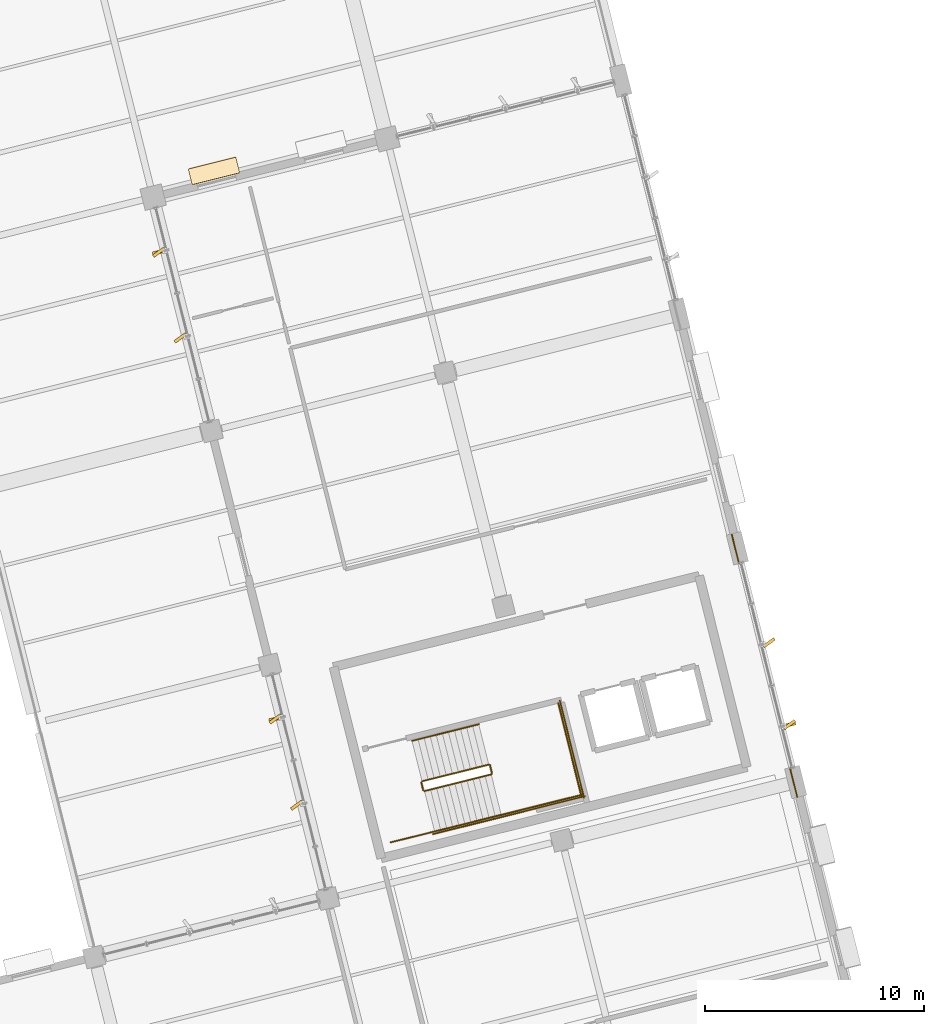
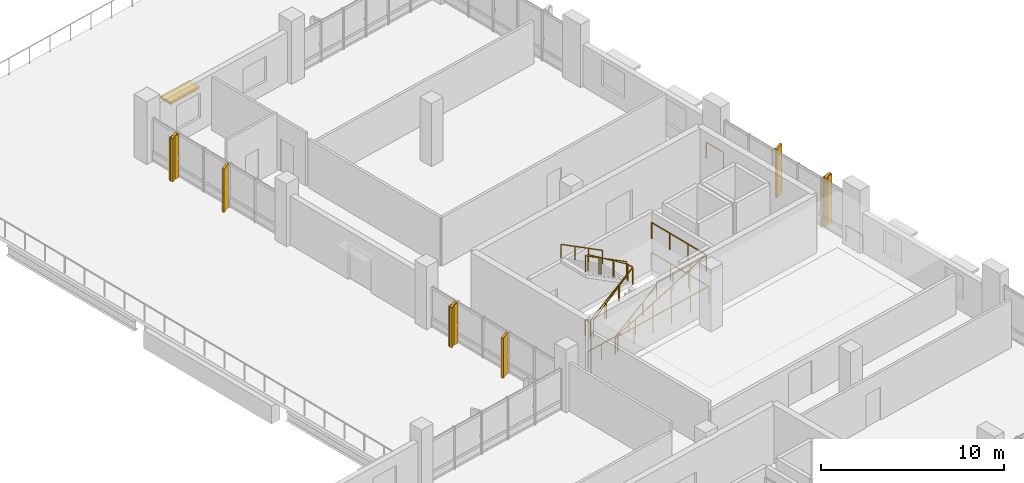
# One storey, part 41 of 42: 15 railings, 7 shading devices, 4 coverings.
"""IFC4 building model written with IfcOpenShell, lengths in metres."""

from ifc_helpers import new_model, si_unit, direction, frame, origin, origin_2d, place, context, subcontext, project, spatial, rectangle, extrude, material, layer, layer_set, type_object, element, save


model = new_model("IFC4")

# Units and contexts
model_context = context("Model", 3, precision=1e-05, world=origin(), true_north=direction((0.0, 1.0)))
body_context = subcontext(model_context, "Body", "Model", "MODEL_VIEW")
ifc_project = project(units=[si_unit("LENGTHUNIT", "METRE"), si_unit("AREAUNIT", "SQUARE_METRE"), si_unit("VOLUMEUNIT", "CUBIC_METRE"), si_unit("PLANEANGLEUNIT", "RADIAN"), si_unit("MASSUNIT", "GRAM", prefix="KILO")], contexts=[model_context])

# Site, building, storey
site_placement = place(None, origin())
site = spatial("IfcSite", under=ifc_project, at=site_placement, CompositionType="ELEMENT")
building_placement = place(site_placement, origin())
building = spatial("IfcBuilding", under=site, at=building_placement, Name="Khorjan Park Terminus", CompositionType="ELEMENT")
storey_placement = place(building_placement, frame((0.0, 0.0, 20.4)))
storey = spatial("IfcBuildingStorey", under=building, at=storey_placement, Name="L04", CompositionType="ELEMENT", Elevation=20.4)

# Coverings
ifc_material_1 = material(Name="Pigmented Precast GRC", Category="concrete")
ifc_layer_1 = layer(ifc_material_1, 0.16)
ifc_layer_set_1 = layer_set([ifc_layer_1], Name="Pigmented Precast GRC")
covering_type_1 = type_object("IfcCoveringType", Name="CV-FIN-GRC", PredefinedType="CLADDING", material=ifc_layer_set_1)
covering_1_placement = place(storey_placement, frame((224.4308, 41.9297, -0.02), z_axis=(0.0, 0.0, 1.0), x_axis=(-0.970295726276, -0.2419218956, 0.0)))
element("IfcCovering", 1, at=covering_1_placement, inside=storey, type_object=covering_type_1, Name="Projecting desert-sandstone GRC facade fin CL-FN1 (CW-V5-E-L04-B03-1)", PredefinedType="CLADDING", context=body_context, shape_type="SweptSolid", body=[
    extrude(rectangle(XDim=0.58, YDim=0.16, at=origin_2d()), origin(), (0.0, 0.0, 1.0), 3.245),
])
covering_2_placement = place(storey_placement, frame((195.6471, 63.5014, -0.02), z_axis=(0.0, 0.0, 1.0), x_axis=(0.970295726276, 0.2419218956, 0.0)))
element("IfcCovering", 2, at=covering_2_placement, inside=storey, type_object=covering_type_1, Name="Projecting desert-sandstone GRC facade fin CL-FN1 (CW-V5-NW1-L04-B01-1)", PredefinedType="CLADDING", context=body_context, shape_type="SweptSolid", body=[
    extrude(rectangle(XDim=0.58, YDim=0.16, at=origin_2d()), origin(), (0.0, 0.0, 1.0), 2.905),
])
covering_3_placement = place(storey_placement, frame((200.9598, 42.1931, -0.02), z_axis=(0.0, 0.0, 1.0), x_axis=(0.970295726276, 0.2419218956, 0.0)))
element("IfcCovering", 3, at=covering_3_placement, inside=storey, type_object=covering_type_1, Name="Projecting desert-sandstone GRC facade fin CL-FN1 (CW-V5-NW1-L04-B03-1)", PredefinedType="CLADDING", context=body_context, shape_type="SweptSolid", body=[
    extrude(rectangle(XDim=0.58, YDim=0.16, at=origin_2d()), origin(), (0.0, 0.0, 1.0), 2.69),
])
ifc_layer_2 = layer(ifc_material_1, 0.18)
ifc_layer_set_2 = layer_set([ifc_layer_2], Name="Pigmented Precast GRC")
covering_type_2 = type_object("IfcCoveringType", Name="CV-HOOD-GRC", PredefinedType="CLADDING", material=ifc_layer_set_2)
covering_4_placement = place(storey_placement, frame((198.1626, 67.2077, 2.58), z_axis=(0.0, 0.0, 1.0), x_axis=(-0.970293595336, -0.241930442171, 0.0)))
element("IfcCovering", 4, at=covering_4_placement, inside=storey, type_object=covering_type_2, Name="Projecting desert-sandstone GRC window eyebrow CL-HD1 (EW-V5-N-L04-B02-2)", PredefinedType="CLADDING", context=body_context, shape_type="SweptSolid", body=[
    extrude(rectangle(XDim=2.24, YDim=0.74, at=origin_2d()), origin(), (0.0, 0.0, 1.0), 0.16),
])

# Railings
ifc_material_2 = material(Name="Steel S355", Category="steel")
railing_type_1 = type_object("IfcRailingType", Name="GR-112", PredefinedType="GUARDRAIL", material=ifc_material_2)
railing_1_placement = place(storey_placement, frame((207.7735, 38.902, 0.175)))
element("IfcRailing", 5, at=railing_1_placement, inside=storey, type_object=railing_type_1, Name="L04 ST-04 stair guard 1", PredefinedType="GUARDRAIL", context=body_context, shape_type="SweptSolid", body=[
    extrude(rectangle(XDim=0.048, YDim=0.048, at=origin_2d()), frame((0.0, 0.0, 1.096), z_axis=(0.826848000136, 0.206181934415, 0.523269906063), x_axis=(-0.241950149517, 0.970288681346, 0.0)), (0.0, 0.0, 1.0), 3.6788),
    extrude(rectangle(XDim=0.042, YDim=0.042, at=origin_2d()), origin(), (0.0, 0.0, 1.0), 1.072),
    extrude(rectangle(XDim=0.042, YDim=0.042, at=origin_2d()), frame((1.0139, 0.2528, 0.6417)), (0.0, 0.0, 1.0), 1.072),
    extrude(rectangle(XDim=0.042, YDim=0.042, at=origin_2d()), frame((2.0279, 0.5057, 1.2833)), (0.0, 0.0, 1.0), 1.072),
    extrude(rectangle(XDim=0.042, YDim=0.042, at=origin_2d()), frame((3.0418, 0.7585, 1.925)), (0.0, 0.0, 1.0), 1.072),
])
railing_2_placement = place(storey_placement, frame((210.8518, 39.7211, 2.1)))
element("IfcRailing", 6, at=railing_2_placement, inside=storey, type_object=railing_type_1, Name="L04 ST-04 stair guard 2", PredefinedType="GUARDRAIL", context=body_context, shape_type="SweptSolid", body=[
    extrude(rectangle(XDim=0.048, YDim=0.048, at=origin_2d()), frame((0.0, 0.0, 1.096), z_axis=(-0.241947338122, 0.970289382388, 0.0), x_axis=(-0.970289382388, -0.241947338122, 0.0)), (0.0, 0.0, 1.0), 0.36),
    extrude(rectangle(XDim=0.042, YDim=0.042, at=origin_2d()), origin(), (0.0, 0.0, 1.0), 1.072),
    extrude(rectangle(XDim=0.042, YDim=0.042, at=origin_2d()), frame((-0.0871, 0.3493, 0.0)), (0.0, 0.0, 1.0), 1.072),
])
railing_3_placement = place(storey_placement, frame((211.275, 37.8169, 2.1)))
element("IfcRailing", 7, at=railing_3_placement, inside=storey, type_object=railing_type_1, Name="L04 ST-04 stair guard 3", PredefinedType="GUARDRAIL", context=body_context, shape_type="SweptSolid", body=[
    extrude(rectangle(XDim=0.048, YDim=0.048, at=origin_2d()), frame((0.0, 0.0, 1.096), z_axis=(0.970296897562, 0.241917197781, 0.0), x_axis=(-0.241917197781, 0.970296897562, 0.0)), (0.0, 0.0, 1.0), 3.805),
    extrude(rectangle(XDim=0.042, YDim=0.042, at=origin_2d()), origin(), (0.0, 0.0, 1.0), 1.072),
    extrude(rectangle(XDim=0.042, YDim=0.042, at=origin_2d()), frame((1.2307, 0.3068, 0.0)), (0.0, 0.0, 1.0), 1.072),
    extrude(rectangle(XDim=0.042, YDim=0.042, at=origin_2d()), frame((2.4613, 0.6137, 0.0)), (0.0, 0.0, 1.0), 1.072),
    extrude(rectangle(XDim=0.042, YDim=0.042, at=origin_2d()), frame((3.692, 0.9205, 0.0)), (0.0, 0.0, 1.0), 1.072),
])
railing_4_placement = place(storey_placement, frame((214.9305, 38.6768, 2.1)))
element("IfcRailing", 8, at=railing_4_placement, inside=storey, type_object=railing_type_1, Name="L04 ST-04 stair guard 4", PredefinedType="GUARDRAIL", context=body_context, shape_type="SweptSolid", body=[
    extrude(rectangle(XDim=0.048, YDim=0.048, at=origin_2d()), frame((0.0, 0.0, 1.096), z_axis=(-0.241904163851, 0.970300147125, 0.0), x_axis=(-0.970300147125, -0.241904163851, 0.0)), (0.0, 0.0, 1.0), 4.36),
    extrude(rectangle(XDim=0.042, YDim=0.042, at=origin_2d()), origin(), (0.0, 0.0, 1.0), 1.072),
    extrude(rectangle(XDim=0.042, YDim=0.042, at=origin_2d()), frame((-0.3516, 1.4102, 0.0)), (0.0, 0.0, 1.0), 1.072),
    extrude(rectangle(XDim=0.042, YDim=0.042, at=origin_2d()), frame((-0.7031, 2.8203, 0.0)), (0.0, 0.0, 1.0), 1.072),
    extrude(rectangle(XDim=0.042, YDim=0.042, at=origin_2d()), frame((-1.0547, 4.2305, 0.0)), (0.0, 0.0, 1.0), 1.072),
])
railing_5_placement = place(storey_placement, frame((210.7041, 40.1068, 2.275)))
element("IfcRailing", 9, at=railing_5_placement, inside=storey, type_object=railing_type_1, Name="L04 ST-04 stair guard 5", PredefinedType="GUARDRAIL", context=body_context, shape_type="SweptSolid", body=[
    extrude(rectangle(XDim=0.048, YDim=0.048, at=origin_2d()), frame((0.0, 0.0, 1.096), z_axis=(-0.826861232128, -0.206151273364, 0.523261077565), x_axis=(0.241912630498, -0.970298036278, 0.0)), (0.0, 0.0, 1.0), 3.6789),
    extrude(rectangle(XDim=0.042, YDim=0.042, at=origin_2d()), origin(), (0.0, 0.0, 1.0), 1.072),
    extrude(rectangle(XDim=0.042, YDim=0.042, at=origin_2d()), frame((-1.014, -0.2528, 0.6417)), (0.0, 0.0, 1.0), 1.072),
    extrude(rectangle(XDim=0.042, YDim=0.042, at=origin_2d()), frame((-2.0279, -0.5056, 1.2833)), (0.0, 0.0, 1.0), 1.072),
    extrude(rectangle(XDim=0.042, YDim=0.042, at=origin_2d()), frame((-3.0419, -0.7584, 1.925)), (0.0, 0.0, 1.0), 1.072),
])
railing_6_placement = place(storey_placement, frame((207.7129, 38.9385, 0.0)))
element("IfcRailing", 10, at=railing_6_placement, inside=storey, type_object=railing_type_1, Name="L04 ST-04 stair guard 6", PredefinedType="GUARDRAIL", context=body_context, shape_type="SweptSolid", body=[
    extrude(rectangle(XDim=0.048, YDim=0.048, at=origin_2d()), frame((0.0, 0.0, 1.096), z_axis=(-0.241947338122, 0.970289382388, 0.0), x_axis=(-0.970289382388, -0.241947338122, 0.0)), (0.0, 0.0, 1.0), 0.36),
    extrude(rectangle(XDim=0.042, YDim=0.042, at=origin_2d()), origin(), (0.0, 0.0, 1.0), 1.072),
    extrude(rectangle(XDim=0.042, YDim=0.042, at=origin_2d()), frame((-0.0871, 0.3493, 0.0)), (0.0, 0.0, 1.0), 1.072),
])
railing_7_placement = place(storey_placement, frame((206.2343, 36.5601, 0.0)))
element("IfcRailing", 11, at=railing_7_placement, inside=storey, type_object=railing_type_1, Name="L04 ST-04 stair guard 7", PredefinedType="GUARDRAIL", context=body_context, shape_type="SweptSolid", body=[
    extrude(rectangle(XDim=0.048, YDim=0.048, at=origin_2d()), frame((0.0, 0.0, 1.096), z_axis=(0.97029080484, 0.241941633546, 0.0), x_axis=(-0.241941633546, 0.97029080484, 0.0)), (0.0, 0.0, 1.0), 2.06),
    extrude(rectangle(XDim=0.042, YDim=0.042, at=origin_2d()), origin(), (0.0, 0.0, 1.0), 1.072),
    extrude(rectangle(XDim=0.042, YDim=0.042, at=origin_2d()), frame((0.9994, 0.2492, 0.0)), (0.0, 0.0, 1.0), 1.072),
    extrude(rectangle(XDim=0.042, YDim=0.042, at=origin_2d()), frame((1.9988, 0.4984, 0.0)), (0.0, 0.0, 1.0), 1.072),
])
railing_8_placement = place(storey_placement, frame((208.1603, 36.9373, 0.0)))
element("IfcRailing", 12, at=railing_8_placement, inside=storey, type_object=railing_type_1, Name="L04 ST-04 stair guard 8", PredefinedType="GUARDRAIL", context=body_context, shape_type="SweptSolid", body=[
    extrude(rectangle(XDim=0.048, YDim=0.048, at=origin_2d()), frame((0.0, 0.0, 1.096), z_axis=(0.970296366402, 0.241919328178, 0.0), x_axis=(-0.241919328178, 0.970296366402, 0.0)), (0.0, 0.0, 1.0), 7.14),
    extrude(rectangle(XDim=0.042, YDim=0.042, at=origin_2d()), origin(), (0.0, 0.0, 1.0), 1.072),
    extrude(rectangle(XDim=0.042, YDim=0.042, at=origin_2d()), frame((1.3856, 0.3455, 0.0)), (0.0, 0.0, 1.0), 1.072),
    extrude(rectangle(XDim=0.042, YDim=0.042, at=origin_2d()), frame((2.7712, 0.6909, 0.0)), (0.0, 0.0, 1.0), 1.072),
    extrude(rectangle(XDim=0.042, YDim=0.042, at=origin_2d()), frame((4.1567, 1.0364, 0.0)), (0.0, 0.0, 1.0), 1.072),
    extrude(rectangle(XDim=0.042, YDim=0.042, at=origin_2d()), frame((5.5423, 1.3818, 0.0)), (0.0, 0.0, 1.0), 1.072),
    extrude(rectangle(XDim=0.042, YDim=0.042, at=origin_2d()), frame((6.9279, 1.7273, 0.0)), (0.0, 0.0, 1.0), 1.072),
])
railing_9_placement = place(storey_placement, frame((215.0518, 38.604, 0.0)))
element("IfcRailing", 13, at=railing_9_placement, inside=storey, type_object=railing_type_1, Name="L04 ST-04 stair guard 9", PredefinedType="GUARDRAIL", context=body_context, shape_type="SweptSolid", body=[
    extrude(rectangle(XDim=0.048, YDim=0.048, at=origin_2d()), frame((0.0, 0.0, 1.096), z_axis=(-0.24193185783, 0.970293242359, 0.0), x_axis=(-0.970293242359, -0.24193185783, 0.0)), (0.0, 0.0, 1.0), 4.56),
    extrude(rectangle(XDim=0.042, YDim=0.042, at=origin_2d()), origin(), (0.0, 0.0, 1.0), 1.072),
    extrude(rectangle(XDim=0.042, YDim=0.042, at=origin_2d()), frame((-0.3677, 1.4748, 0.0)), (0.0, 0.0, 1.0), 1.072),
    extrude(rectangle(XDim=0.042, YDim=0.042, at=origin_2d()), frame((-0.7355, 2.9497, 0.0)), (0.0, 0.0, 1.0), 1.072),
    extrude(rectangle(XDim=0.042, YDim=0.042, at=origin_2d()), frame((-1.1032, 4.4245, 0.0)), (0.0, 0.0, 1.0), 1.072),
])
railing_10_placement = place(storey_placement, frame((207.9457, 38.9553, 0.0)))
element("IfcRailing", 14, at=railing_10_placement, inside=storey, type_object=railing_type_1, Name="Core K4 stair well slot guard GR-112 (L04)", PredefinedType="GUARDRAIL", context=body_context, shape_type="SweptSolid", body=[
    extrude(rectangle(XDim=0.048, YDim=0.048, at=origin_2d()), frame((0.0, 0.0, 1.096), z_axis=(0.79445963012, 0.198068135589, 0.57411053794), x_axis=(-0.241907065545, 0.970299423704, 0.0)), (0.0, 0.0, 1.0), 3.6578),
    extrude(rectangle(XDim=0.048, YDim=0.048, at=origin_2d()), frame((2.906, 0.7245, 3.196), z_axis=(-0.241786986316, 0.970329352977, 0.0), x_axis=(-0.970329352977, -0.241786986316, 0.0)), (0.0, 0.0, 1.0), 0.4401),
    extrude(rectangle(XDim=0.048, YDim=0.048, at=origin_2d()), frame((2.7996, 1.1515, 3.196), z_axis=(-0.79446541114, -0.198090099072, 0.574094960047), x_axis=(0.241930662851, -0.970293540313, 0.0)), (0.0, 0.0, 1.0), 3.6579),
    extrude(rectangle(XDim=0.042, YDim=0.042, at=origin_2d()), origin(), (0.0, 0.0, 1.0), 1.072),
    extrude(rectangle(XDim=0.042, YDim=0.042, at=origin_2d()), frame((0.9687, 0.2415, 0.7)), (0.0, 0.0, 1.0), 1.072),
    extrude(rectangle(XDim=0.042, YDim=0.042, at=origin_2d()), frame((1.9373, 0.483, 1.4)), (0.0, 0.0, 1.0), 1.072),
    extrude(rectangle(XDim=0.042, YDim=0.042, at=origin_2d()), frame((2.906, 0.7245, 2.1)), (0.0, 0.0, 1.0), 1.072),
    extrude(rectangle(XDim=0.042, YDim=0.042, at=origin_2d()), frame((2.7996, 1.1515, 2.1)), (0.0, 0.0, 1.0), 1.072),
    extrude(rectangle(XDim=0.042, YDim=0.042, at=origin_2d()), frame((1.8309, 0.91, 2.8)), (0.0, 0.0, 1.0), 1.072),
    extrude(rectangle(XDim=0.042, YDim=0.042, at=origin_2d()), frame((0.8622, 0.6684, 3.5)), (0.0, 0.0, 1.0), 1.072),
    extrude(rectangle(XDim=0.042, YDim=0.042, at=origin_2d()), frame((-0.1065, 0.4269, 4.2)), (0.0, 0.0, 1.0), 1.072),
])
railing_11_placement = place(storey_placement, frame((208.4102, 37.0923, 0.0)))
element("IfcRailing", 15, at=railing_11_placement, inside=storey, type_object=railing_type_1, Name="Core K4 stair side & landing guard GR-112 (L04)", PredefinedType="GUARDRAIL", context=body_context, shape_type="SweptSolid", body=[
    extrude(rectangle(XDim=0.048, YDim=0.048, at=origin_2d()), frame((0.0, 0.0, 1.096), z_axis=(0.926128560381, 0.230907183702, 0.298274642169), x_axis=(-0.241919330403, 0.970296365848, 0.0)), (0.0, 0.0, 1.0), 7.0405),
    extrude(rectangle(XDim=0.048, YDim=0.048, at=origin_2d()), frame((6.5204, 1.6257, 3.196), z_axis=(-0.2419363556, 0.970292120879, 0.0), x_axis=(-0.970292120879, -0.2419363556, 0.0)), (0.0, 0.0, 1.0), 4.2801),
    extrude(rectangle(XDim=0.042, YDim=0.042, at=origin_2d()), origin(), (0.0, 0.0, 1.0), 1.072),
    extrude(rectangle(XDim=0.042, YDim=0.042, at=origin_2d()), frame((1.3041, 0.3251, 0.42)), (0.0, 0.0, 1.0), 1.072),
    extrude(rectangle(XDim=0.042, YDim=0.042, at=origin_2d()), frame((2.6082, 0.6503, 0.84)), (0.0, 0.0, 1.0), 1.072),
    extrude(rectangle(XDim=0.042, YDim=0.042, at=origin_2d()), frame((3.9122, 0.9754, 1.26)), (0.0, 0.0, 1.0), 1.072),
    extrude(rectangle(XDim=0.042, YDim=0.042, at=origin_2d()), frame((5.2163, 1.3006, 1.68)), (0.0, 0.0, 1.0), 1.072),
    extrude(rectangle(XDim=0.042, YDim=0.042, at=origin_2d()), frame((6.5204, 1.6257, 2.1)), (0.0, 0.0, 1.0), 1.072),
    extrude(rectangle(XDim=0.042, YDim=0.042, at=origin_2d()), frame((6.1752, 3.01, 2.1)), (0.0, 0.0, 1.0), 1.072),
    extrude(rectangle(XDim=0.042, YDim=0.042, at=origin_2d()), frame((5.8301, 4.3943, 2.1)), (0.0, 0.0, 1.0), 1.072),
    extrude(rectangle(XDim=0.042, YDim=0.042, at=origin_2d()), frame((5.4849, 5.7786, 2.1)), (0.0, 0.0, 1.0), 1.072),
])
railing_12_placement = place(storey_placement, frame((221.7981, 50.608, 0.0)))
element("IfcRailing", 16, at=railing_12_placement, inside=storey, type_object=railing_type_1, Name="Perimeter safety guard GR-112 (L04-101)", PredefinedType="GUARDRAIL", context=body_context, shape_type="SweptSolid", body=[
    extrude(rectangle(XDim=0.048, YDim=0.048, at=origin_2d()), frame((0.0, 0.0, 1.096), z_axis=(0.24194076503, -0.970291021404, 0.0), x_axis=(0.970291021404, 0.24194076503, 0.0)), (0.0, 0.0, 1.0), 1.345),
    extrude(rectangle(XDim=0.042, YDim=0.042, at=origin_2d()), origin(), (0.0, 0.0, 1.0), 1.072),
    extrude(rectangle(XDim=0.042, YDim=0.042, at=origin_2d()), frame((0.3254, -1.305, 0.0)), (0.0, 0.0, 1.0), 1.072),
])
railing_13_placement = place(storey_placement, frame((224.4558, 39.9487, 0.0)))
element("IfcRailing", 17, at=railing_13_placement, inside=storey, type_object=railing_type_1, Name="Perimeter safety guard GR-112 (L04-102)", PredefinedType="GUARDRAIL", context=body_context, shape_type="SweptSolid", body=[
    extrude(rectangle(XDim=0.048, YDim=0.048, at=origin_2d()), frame((0.0, 0.0, 1.096), z_axis=(0.241923311945, -0.97029537314, 0.0), x_axis=(0.97029537314, 0.241923311945, 0.0)), (0.0, 0.0, 1.0), 1.3451),
    extrude(rectangle(XDim=0.042, YDim=0.042, at=origin_2d()), origin(), (0.0, 0.0, 1.0), 1.072),
    extrude(rectangle(XDim=0.042, YDim=0.042, at=origin_2d()), frame((0.3254, -1.3051, 0.0)), (0.0, 0.0, 1.0), 1.072),
])
railing_type_2 = type_object("IfcRailingType", Name="HR-92", PredefinedType="HANDRAIL", material=ifc_material_2)
railing_14_placement = place(storey_placement, frame((208.2331, 37.0585, 0.175)))
element("IfcRailing", 18, at=railing_14_placement, inside=storey, type_object=railing_type_2, Name="L04 ST-04 stair handrail 1", PredefinedType="HANDRAIL", context=body_context, shape_type="SweptSolid", body=[
    extrude(rectangle(XDim=0.048, YDim=0.048, at=origin_2d()), frame((0.0, 0.0, 0.896), z_axis=(0.826861232128, 0.206151273364, 0.523261077565), x_axis=(-0.241912630498, 0.970298036278, 0.0)), (0.0, 0.0, 1.0), 3.6789),
    extrude(rectangle(XDim=0.042, YDim=0.042, at=origin_2d()), origin(), (0.0, 0.0, 1.0), 0.872),
    extrude(rectangle(XDim=0.042, YDim=0.042, at=origin_2d()), frame((1.014, 0.2528, 0.6417)), (0.0, 0.0, 1.0), 0.872),
    extrude(rectangle(XDim=0.042, YDim=0.042, at=origin_2d()), frame((2.0279, 0.5056, 1.2833)), (0.0, 0.0, 1.0), 0.872),
    extrude(rectangle(XDim=0.042, YDim=0.042, at=origin_2d()), frame((3.0419, 0.7584, 1.925)), (0.0, 0.0, 1.0), 0.872),
])
railing_15_placement = place(storey_placement, frame((210.2444, 41.9504, 2.275)))
element("IfcRailing", 19, at=railing_15_placement, inside=storey, type_object=railing_type_2, Name="L04 ST-04 stair handrail 2", PredefinedType="HANDRAIL", context=body_context, shape_type="SweptSolid", body=[
    extrude(rectangle(XDim=0.048, YDim=0.048, at=origin_2d()), frame((0.0, 0.0, 0.896), z_axis=(-0.826856598391, -0.206177300332, 0.523258145206), x_axis=(0.241942661201, -0.970290548594, 0.0)), (0.0, 0.0, 1.0), 3.6789),
    extrude(rectangle(XDim=0.042, YDim=0.042, at=origin_2d()), origin(), (0.0, 0.0, 1.0), 0.872),
    extrude(rectangle(XDim=0.042, YDim=0.042, at=origin_2d()), frame((-1.014, -0.2528, 0.6417)), (0.0, 0.0, 1.0), 0.872),
    extrude(rectangle(XDim=0.042, YDim=0.042, at=origin_2d()), frame((-2.0279, -0.5057, 1.2833)), (0.0, 0.0, 1.0), 0.872),
    extrude(rectangle(XDim=0.042, YDim=0.042, at=origin_2d()), frame((-3.0419, -0.7585, 1.925)), (0.0, 0.0, 1.0), 0.872),
])

# Shading devices
ifc_material_3 = material(Name="Anodized Bronze Aluminium", Category="aluminium")
shading_device_type_1 = type_object("IfcShadingDeviceType", Name="SD-FIN-620", PredefinedType="JALOUSIE", material=ifc_material_3)
for number, where, z_axis, x_axis, name in (
    (20, (224.4308, 41.9297, -0.02), (0.0, 0.0, 1.0), (-0.809016994375, -0.587785252292, 0.0), "Angled solar brise-soleil fin SF-62 (CW-V5-E-L04-B03-1)"),
    (21, (223.4979, 45.6714, -0.02), (0.0, 0.0, 1.0), (-0.809016994375, -0.587785252292, 0.0), "Angled solar brise-soleil fin SF-62 (CW-V5-E-L04-B03-3)"),
):
    element("IfcShadingDevice", number, at=place(storey_placement, frame(where, z_axis=z_axis, x_axis=x_axis)), inside=storey, type_object=shading_device_type_1, Name=name, PredefinedType="JALOUSIE", context=body_context, shape_type="SweptSolid", body=[
        extrude(rectangle(XDim=0.62, YDim=0.14, at=origin_2d()), origin(), (0.0, 0.0, 1.0), 3.245),
    ])
for number, where, z_axis, x_axis, name in (
    (22, (195.6471, 63.5014, -0.02), (0.0, 0.0, 1.0), (0.809016994375, 0.587785252292, 0.0), "Angled solar brise-soleil fin SF-62 (CW-V5-NW1-L04-B01-1)"),
    (23, (196.6234, 59.5854, -0.02), (0.0, 0.0, 1.0), (0.809016994375, 0.587785252292, 0.0), "Angled solar brise-soleil fin SF-62 (CW-V5-NW1-L04-B01-3)"),
):
    element("IfcShadingDevice", number, at=place(storey_placement, frame(where, z_axis=z_axis, x_axis=x_axis)), inside=storey, type_object=shading_device_type_1, Name=name, PredefinedType="JALOUSIE", context=body_context, shape_type="SweptSolid", body=[
        extrude(rectangle(XDim=0.62, YDim=0.14, at=origin_2d()), origin(), (0.0, 0.0, 1.0), 2.905),
    ])
for number, where, z_axis, x_axis, name in (
    (24, (200.9598, 42.1931, -0.02), (0.0, 0.0, 1.0), (0.809016994375, 0.587785252292, 0.0), "Angled solar brise-soleil fin SF-62 (CW-V5-NW1-L04-B03-1)"),
    (25, (201.941, 38.2577, -0.02), (0.0, 0.0, 1.0), (0.809016994375, 0.587785252292, 0.0), "Angled solar brise-soleil fin SF-62 (CW-V5-NW1-L04-B03-3)"),
):
    element("IfcShadingDevice", number, at=place(storey_placement, frame(where, z_axis=z_axis, x_axis=x_axis)), inside=storey, type_object=shading_device_type_1, Name=name, PredefinedType="JALOUSIE", context=body_context, shape_type="SweptSolid", body=[
        extrude(rectangle(XDim=0.62, YDim=0.14, at=origin_2d()), origin(), (0.0, 0.0, 1.0), 2.69),
    ])
shading_device_type_2 = type_object("IfcShadingDeviceType", Name="SD-SUN-750", PredefinedType="SHUTTER", material=ifc_material_3)
shading_device_placement = place(storey_placement, frame((198.1626, 67.2077, 2.51), z_axis=(0.0, 0.0, 1.0), x_axis=(-0.970293595336, -0.241930442171, 0.0)))
element("IfcShadingDevice", 26, at=shading_device_placement, inside=storey, type_object=shading_device_type_2, Name="Projecting solar overhang hood SH-75 (EW-V5-N-L04-B02-2)", PredefinedType="SHUTTER", context=body_context, shape_type="SweptSolid", body=[
    extrude(rectangle(XDim=2.16, YDim=0.76, at=origin_2d()), origin(), (0.0, 0.0, 1.0), 0.14),
])

save(model, "model.ifc")
